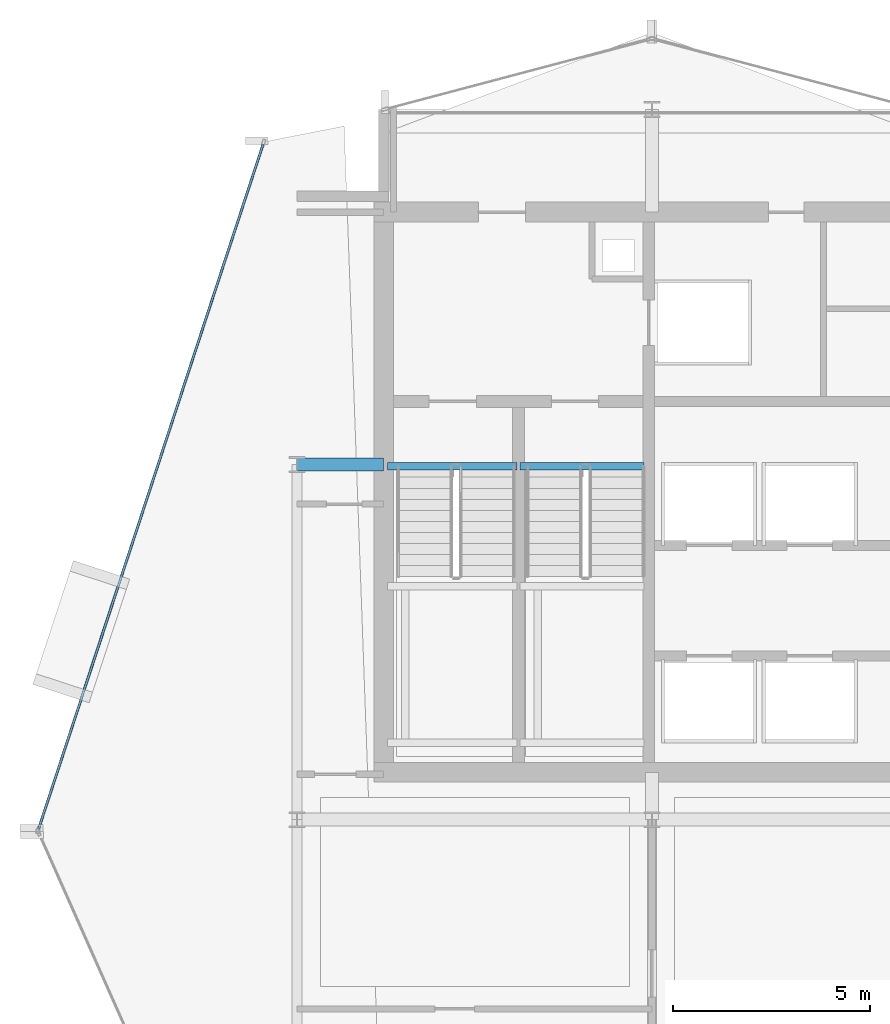
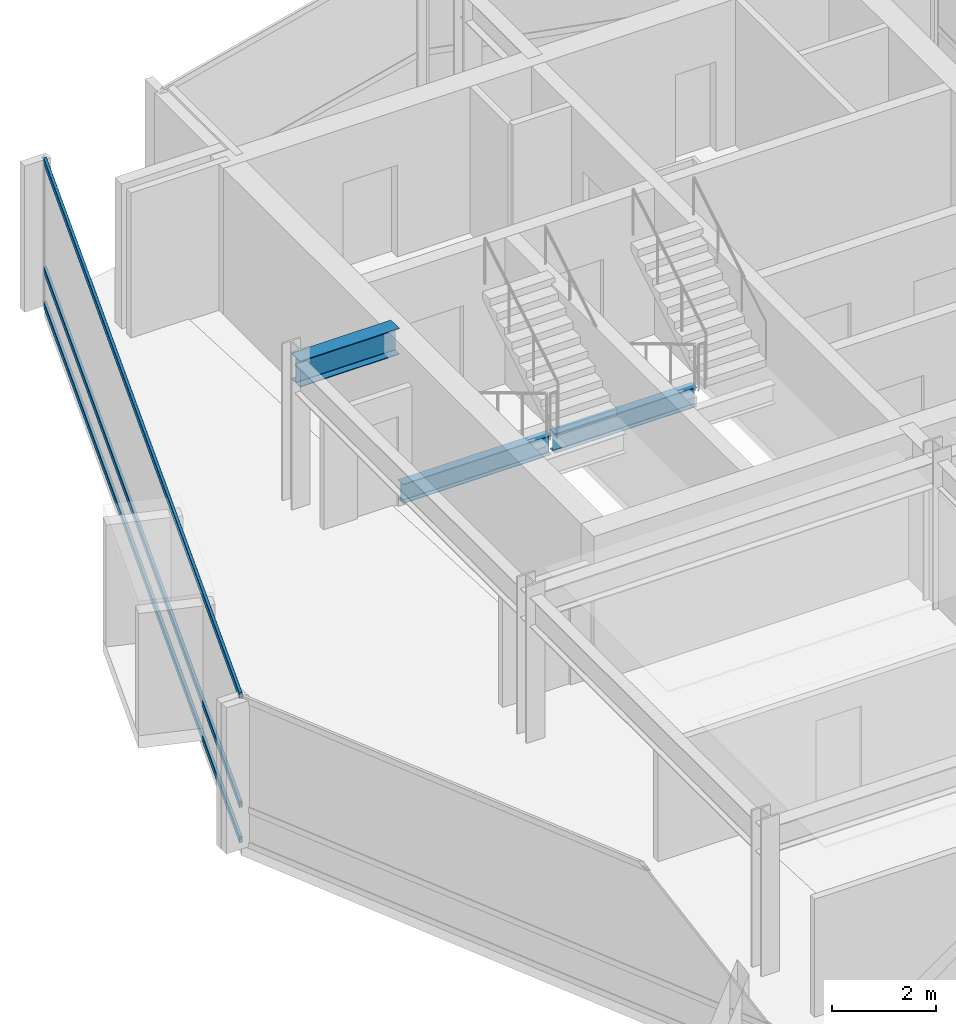
# One storey, part 15 of 28: 3 beams, 3 members, 1 element without a shape of its own.
"""IFC4 building model written with IfcOpenShell, lengths in metres."""

from ifc_helpers import new_model, si_unit, direction, frame, origin, origin_2d, place, context, subcontext, project, spatial, hollow_rectangle, i_section, extrude, material, layer, layer_set, material_profile, profile_set, type_object, element, aggregate, save


model = new_model("IFC4")

# Units and contexts
model_context = context("Model", 3, precision=1e-05, world=origin(), true_north=direction((0.0, 1.0)))
body_context = subcontext(model_context, "Body", "Model", "MODEL_VIEW")
ifc_project = project(units=[si_unit("LENGTHUNIT", "METRE"), si_unit("AREAUNIT", "SQUARE_METRE"), si_unit("VOLUMEUNIT", "CUBIC_METRE"), si_unit("PLANEANGLEUNIT", "RADIAN"), si_unit("MASSUNIT", "GRAM", prefix="KILO")], contexts=[model_context])

# Site, building, storey
site_placement = place(None, origin())
site = spatial("IfcSite", under=ifc_project, at=site_placement, CompositionType="ELEMENT")
building_placement = place(site_placement, origin())
building = spatial("IfcBuilding", under=site, at=building_placement, Name="Solvaryn Broadcast Tower", CompositionType="ELEMENT")
storey_placement = place(building_placement, frame((0.0, 0.0, 217.300048828125)))
storey = spatial("IfcBuildingStorey", under=building, at=storey_placement, Name="L54", CompositionType="ELEMENT", Elevation=217.300048828125)

# Beams
ifc_material_1 = material(Name="Steel ASTM A992 Grade 50", Category="steel")
ifc_material_profile_1 = material_profile(ifc_material_1, i_section(OverallWidth=0.323974609375, OverallDepth=0.611083984375, WebThickness=0.0126953125, FlangeThickness=0.01904296875, FilletRadius=0.014892578125, at=origin_2d()))
ifc_profile_set_1 = profile_set([ifc_material_profile_1], Name="Steel ASTM A992 Grade 50")
beam_type_1 = type_object("IfcBeamType", Name="BM-B1-W24X104", PredefinedType="BEAM", material=ifc_profile_set_1)
beam_1_placement = place(storey_placement, frame((9.0, 36.0, 3.114501953125), z_axis=(1.0, 0.0, 0.0), x_axis=(0.0, 1.0, 0.0)))
element("IfcBeam", 1, at=beam_1_placement, inside=storey, type_object=beam_type_1, Name="L54 Core Tie Beam CTW1", PredefinedType="BEAM", context=body_context, shape_type="SweptSolid", body=[
    extrude(i_section(OverallWidth=0.323974609375, OverallDepth=0.611083984375, WebThickness=0.0126953125, FlangeThickness=0.01904296875, FilletRadius=0.014892578125, at=origin_2d()), origin(), (0.0, 0.0, 1.0), 2.199951171875),
])
ifc_material_2 = material(Name="Steel ASTM A992 Grade 50", Category="steel")
ifc_material_profile_2 = material_profile(ifc_material_2, i_section(OverallWidth=0.18994140625, OverallDepth=0.45703125, WebThickness=0.009033203125, FlangeThickness=0.014404296875, FilletRadius=0.011962890625, at=origin_2d()))
ifc_profile_set_2 = profile_set([ifc_material_profile_2], Name="Steel ASTM A992 Grade 50")
beam_type_2 = type_object("IfcBeamType", Name="BM-B4-W18X50", PredefinedType="BEAM", material=ifc_profile_set_2)
beam_2_placement = place(storey_placement, frame((11.300048828125, 35.9599609375, -0.508544921875), z_axis=(1.0, 0.0, 0.0), x_axis=(0.0, 1.0, 0.0)))
element("IfcBeam", 2, at=beam_2_placement, inside=storey, type_object=beam_type_2, Name="L54 ST1 Stair Well Trimmer Beam", PredefinedType="BEAM", context=body_context, shape_type="SweptSolid", body=[
    extrude(i_section(OverallWidth=0.18994140625, OverallDepth=0.45703125, WebThickness=0.009033203125, FlangeThickness=0.014404296875, FilletRadius=0.011962890625, at=origin_2d()), origin(), (0.0, 0.0, 1.0), 3.280029296875),
])
beam_3_placement = place(storey_placement, frame((14.659912109375, 35.9599609375, -0.508544921875), z_axis=(1.0, 0.0, 0.0), x_axis=(0.0, 1.0, 0.0)))
element("IfcBeam", 3, at=beam_3_placement, inside=storey, type_object=beam_type_2, Name="L54 ST2 Stair Well Trimmer Beam", PredefinedType="BEAM", context=body_context, shape_type="SweptSolid", body=[
    extrude(i_section(OverallWidth=0.18994140625, OverallDepth=0.45703125, WebThickness=0.009033203125, FlangeThickness=0.014404296875, FilletRadius=0.011962890625, at=origin_2d()), origin(), (0.0, 0.0, 1.0), 3.14013671875),
])

# Curtain wall, members
ifc_material_3 = material(Name="Aluminium and Terracotta Unitised Curtain Wall", Category="masonry")
ifc_layer = layer(ifc_material_3, 0.199951171875)
ifc_layer_set = layer_set([ifc_layer], Name="CW-SYS2-LOWMID")
curtain_wall_type = type_object("IfcCurtainWallType", Name="CW-SYS2-LOWMID", PredefinedType="NOTDEFINED", material=ifc_layer_set)
curtain_wall_placement = place(storey_placement, origin())
curtain_wall = element("IfcCurtainWall", 4, at=curtain_wall_placement, inside=storey, type_object=curtain_wall_type, Name="L54 Curtain Wall DR1", PredefinedType="NOTDEFINED")
ifc_material_4 = material(Name="Anodised Aluminium 6063-T6", Category="aluminium")
ifc_material_profile_3 = material_profile(ifc_material_4, hollow_rectangle(XDim=0.06494140625, YDim=0.14990234375, WallThickness=0.00390625, InnerFilletRadius=0.00390625, OuterFilletRadius=0.008056640625, at=origin_2d()))
ifc_profile_set_3 = profile_set([ifc_material_profile_3], Name="Anodised Aluminium 6063-T6")
member_type = type_object("IfcMemberType", Name="CW-TRN-150", PredefinedType="USERDEFINED", material=ifc_profile_set_3)
member_1_placement = place(storey_placement, frame((8.144287109375, 44.125, 0.030029296875), z_axis=(-0.311557987209, -0.950227141586, 0.0), x_axis=(0.950227141586, -0.311557987209, 0.0)))
member_1 = element("IfcMember", 5, at=member_1_placement, type_object=member_type, Name="CWS2 transom 1.1", ObjectType="TRANSOM", PredefinedType="USERDEFINED", context=body_context, shape_type="SweptSolid", body=[
    extrude(hollow_rectangle(XDim=0.06494140625, YDim=0.14990234375, WallThickness=0.00390625, InnerFilletRadius=0.00390625, OuterFilletRadius=0.008056640625, at=origin_2d()), origin(), (0.0, 0.0, 1.0), 18.271484375),
])
member_2_placement = place(storey_placement, frame((8.144287109375, 44.125, 0.849853515625), z_axis=(-0.311557987209, -0.950227141586, 0.0), x_axis=(0.950227141586, -0.311557987209, 0.0)))
member_2 = element("IfcMember", 6, at=member_2_placement, type_object=member_type, Name="CWS2 transom 1.2", ObjectType="TRANSOM", PredefinedType="USERDEFINED", context=body_context, shape_type="SweptSolid", body=[
    extrude(hollow_rectangle(XDim=0.06494140625, YDim=0.14990234375, WallThickness=0.00390625, InnerFilletRadius=0.00390625, OuterFilletRadius=0.008056640625, at=origin_2d()), origin(), (0.0, 0.0, 1.0), 18.271484375),
])
member_3_placement = place(storey_placement, frame((8.144287109375, 44.125, 3.389892578125), z_axis=(-0.311557987209, -0.950227141586, 0.0), x_axis=(0.950227141586, -0.311557987209, 0.0)))
member_3 = element("IfcMember", 7, at=member_3_placement, type_object=member_type, Name="CWS2 transom 1.3", ObjectType="TRANSOM", PredefinedType="USERDEFINED", context=body_context, shape_type="SweptSolid", body=[
    extrude(hollow_rectangle(XDim=0.06494140625, YDim=0.14990234375, WallThickness=0.00390625, InnerFilletRadius=0.00390625, OuterFilletRadius=0.008056640625, at=origin_2d()), origin(), (0.0, 0.0, 1.0), 18.271484375),
])
aggregate(curtain_wall, [member_1, member_2, member_3])

save(model, "model.ifc")
